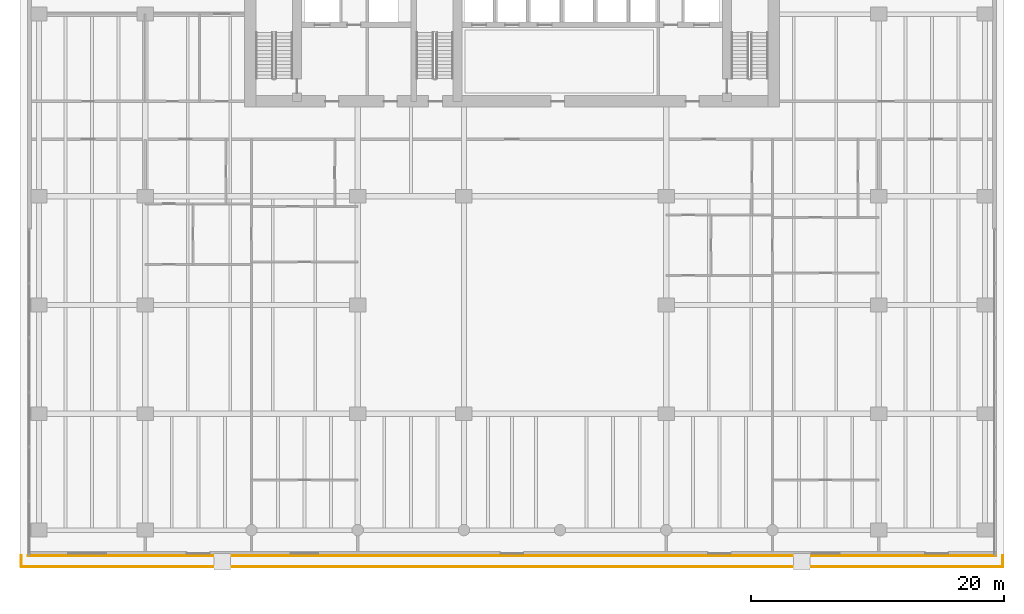
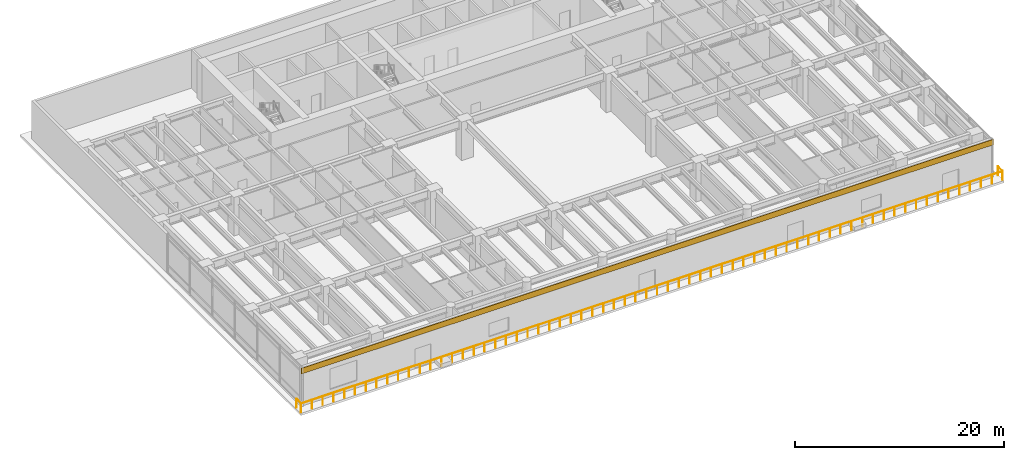
# One storey, part 15 of 17: 1 covering, 1 railing.
"""IFC4 building model written with IfcOpenShell, lengths in metres."""

from ifc_helpers import new_model, si_unit, direction, frame, origin, origin_2d, place, context, subcontext, project, spatial, rectangle, circle, extrude, material, layer, layer_set, type_object, element, save


model = new_model("IFC4")

# Units and contexts
model_context = context("Model", 3, precision=1e-05, world=origin(), true_north=direction((0.0, 1.0)))
body_context = subcontext(model_context, "Body", "Model", "MODEL_VIEW")
ifc_project = project(units=[si_unit("LENGTHUNIT", "METRE"), si_unit("AREAUNIT", "SQUARE_METRE"), si_unit("VOLUMEUNIT", "CUBIC_METRE"), si_unit("PLANEANGLEUNIT", "RADIAN"), si_unit("MASSUNIT", "GRAM", prefix="KILO")], contexts=[model_context])

# Site, building, storey
site_placement = place(None, origin())
site = spatial("IfcSite", under=ifc_project, at=site_placement, CompositionType="ELEMENT")
building_placement = place(site_placement, origin())
building = spatial("IfcBuilding", under=site, at=building_placement, Name="Caelmar Bay Residences", CompositionType="ELEMENT")
storey_placement = place(building_placement, frame((0.0, 0.0, 10.199951171875)))
storey = spatial("IfcBuildingStorey", under=building, at=storey_placement, Name="L02", CompositionType="ELEMENT", Elevation=10.199951171875)

# Covering
ifc_material_1 = material(Name="Honed Florida oolitic limestone rainscreen 60 mm", Category="masonry")
ifc_layer = layer(ifc_material_1, 0.06005859375)
ifc_layer_set = layer_set([ifc_layer], Name="Honed Florida oolitic limestone rainscreen 60 mm")
covering_type = type_object("IfcCoveringType", Name="COV-CLAD-60", PredefinedType="CLADDING", material=ifc_layer_set)
covering_placement = place(storey_placement, frame((38.89990234375, 0.969970703125, 3.8251953125), z_axis=(0.0, 0.0, 1.0), x_axis=(1.0, 0.0, 0.0)))
element("IfcCovering", 1, at=covering_placement, inside=storey, type_object=covering_type, Name="L02 Oolitic Limestone Spandrel Cladding", PredefinedType="CLADDING", context=body_context, shape_type="SweptSolid", body=[
    extrude(rectangle(XDim=76.60009765625, YDim=0.06005859375, at=origin_2d()), origin(), (0.0, 0.0, 1.0), 0.64990234375),
])

# Railing
ifc_material_2 = material(Name="Anodised bronze handrail with laminated hurricane glass infill", Category="glass")
railing_type = type_object("IfcRailingType", Name="RL-BAL-1100", PredefinedType="BALUSTRADE", material=ifc_material_2)
railing_placement = place(storey_placement, frame((0.10009765625, 1.0, 0.0)))
element("IfcRailing", 2, at=railing_placement, inside=storey, type_object=railing_type, Name="L02 Planted Terrace Perimeter Balustrade", PredefinedType="BALUSTRADE", context=body_context, shape_type="SweptSolid", body=[
    extrude(circle(Radius=0.02392578125, at=origin_2d()), frame((0.0, 0.0, 1.076171875), z_axis=(0.0, -1.0, 0.0), x_axis=(1.0, 0.0, 0.0)), (0.0, 0.0, 1.0), 0.89990234375),
    extrude(circle(Radius=0.02392578125, at=origin_2d()), frame((0.0, -0.89990234375, 1.076171875), z_axis=(1.0, 0.0, 0.0), x_axis=(0.0, 1.0, 0.0)), (0.0, 0.0, 1.0), 77.599853515625),
    extrude(circle(Radius=0.02392578125, at=origin_2d()), frame((77.599853515625, -0.89990234375, 1.076171875), z_axis=(0.0, 1.0, 0.0), x_axis=(-1.0, 0.0, 0.0)), (0.0, 0.0, 1.0), 0.89990234375),
    extrude(circle(Radius=0.02099609375, at=origin_2d()), origin(), (0.0, 0.0, 1.0), 1.052001953125),
    extrude(circle(Radius=0.02099609375, at=origin_2d()), frame((0.0, -0.89990234375, 0.0)), (0.0, 0.0, 1.0), 1.052001953125),
    extrude(circle(Radius=0.02099609375, at=origin_2d()), frame((1.19384765625, -0.89990234375, 0.0)), (0.0, 0.0, 1.0), 1.052001953125),
    extrude(circle(Radius=0.02099609375, at=origin_2d()), frame((2.3876953125, -0.89990234375, 0.0)), (0.0, 0.0, 1.0), 1.052001953125),
    extrude(circle(Radius=0.02099609375, at=origin_2d()), frame((3.58154296875, -0.89990234375, 0.0)), (0.0, 0.0, 1.0), 1.052001953125),
    extrude(circle(Radius=0.02099609375, at=origin_2d()), frame((4.775390625, -0.89990234375, 0.0)), (0.0, 0.0, 1.0), 1.052001953125),
    extrude(circle(Radius=0.02099609375, at=origin_2d()), frame((5.96923828125, -0.89990234375, 0.0)), (0.0, 0.0, 1.0), 1.052001953125),
    extrude(circle(Radius=0.02099609375, at=origin_2d()), frame((7.1630859375, -0.89990234375, 0.0)), (0.0, 0.0, 1.0), 1.052001953125),
    extrude(circle(Radius=0.02099609375, at=origin_2d()), frame((8.35693359375, -0.89990234375, 0.0)), (0.0, 0.0, 1.0), 1.052001953125),
    extrude(circle(Radius=0.02099609375, at=origin_2d()), frame((9.55078125, -0.89990234375, 0.0)), (0.0, 0.0, 1.0), 1.052001953125),
    extrude(circle(Radius=0.02099609375, at=origin_2d()), frame((10.74462890625, -0.89990234375, 0.0)), (0.0, 0.0, 1.0), 1.052001953125),
    extrude(circle(Radius=0.02099609375, at=origin_2d()), frame((11.9384765625, -0.89990234375, 0.0)), (0.0, 0.0, 1.0), 1.052001953125),
    extrude(circle(Radius=0.02099609375, at=origin_2d()), frame((13.13232421875, -0.89990234375, 0.0)), (0.0, 0.0, 1.0), 1.052001953125),
    extrude(circle(Radius=0.02099609375, at=origin_2d()), frame((14.326171875, -0.89990234375, 0.0)), (0.0, 0.0, 1.0), 1.052001953125),
    extrude(circle(Radius=0.02099609375, at=origin_2d()), frame((15.52001953125, -0.89990234375, 0.0)), (0.0, 0.0, 1.0), 1.052001953125),
    extrude(circle(Radius=0.02099609375, at=origin_2d()), frame((16.7138671875, -0.89990234375, 0.0)), (0.0, 0.0, 1.0), 1.052001953125),
    extrude(circle(Radius=0.02099609375, at=origin_2d()), frame((17.90771484375, -0.89990234375, 0.0)), (0.0, 0.0, 1.0), 1.052001953125),
    extrude(circle(Radius=0.02099609375, at=origin_2d()), frame((19.1015625, -0.89990234375, 0.0)), (0.0, 0.0, 1.0), 1.052001953125),
    extrude(circle(Radius=0.02099609375, at=origin_2d()), frame((20.29541015625, -0.89990234375, 0.0)), (0.0, 0.0, 1.0), 1.052001953125),
    extrude(circle(Radius=0.02099609375, at=origin_2d()), frame((21.4892578125, -0.89990234375, 0.0)), (0.0, 0.0, 1.0), 1.052001953125),
    extrude(circle(Radius=0.02099609375, at=origin_2d()), frame((22.68310546875, -0.89990234375, 0.0)), (0.0, 0.0, 1.0), 1.052001953125),
    extrude(circle(Radius=0.02099609375, at=origin_2d()), frame((23.876953125, -0.89990234375, 0.0)), (0.0, 0.0, 1.0), 1.052001953125),
    extrude(circle(Radius=0.02099609375, at=origin_2d()), frame((25.07080078125, -0.89990234375, 0.0)), (0.0, 0.0, 1.0), 1.052001953125),
    extrude(circle(Radius=0.02099609375, at=origin_2d()), frame((26.2646484375, -0.89990234375, 0.0)), (0.0, 0.0, 1.0), 1.052001953125),
    extrude(circle(Radius=0.02099609375, at=origin_2d()), frame((27.45849609375, -0.89990234375, 0.0)), (0.0, 0.0, 1.0), 1.052001953125),
    extrude(circle(Radius=0.02099609375, at=origin_2d()), frame((28.65234375, -0.89990234375, 0.0)), (0.0, 0.0, 1.0), 1.052001953125),
    extrude(circle(Radius=0.02099609375, at=origin_2d()), frame((29.84619140625, -0.89990234375, 0.0)), (0.0, 0.0, 1.0), 1.052001953125),
    extrude(circle(Radius=0.02099609375, at=origin_2d()), frame((31.0400390625, -0.89990234375, 0.0)), (0.0, 0.0, 1.0), 1.052001953125),
    extrude(circle(Radius=0.02099609375, at=origin_2d()), frame((32.23388671875, -0.89990234375, 0.0)), (0.0, 0.0, 1.0), 1.052001953125),
    extrude(circle(Radius=0.02099609375, at=origin_2d()), frame((33.427734375, -0.89990234375, 0.0)), (0.0, 0.0, 1.0), 1.052001953125),
    extrude(circle(Radius=0.02099609375, at=origin_2d()), frame((34.62158203125, -0.89990234375, 0.0)), (0.0, 0.0, 1.0), 1.052001953125),
    extrude(circle(Radius=0.02099609375, at=origin_2d()), frame((35.8154296875, -0.89990234375, 0.0)), (0.0, 0.0, 1.0), 1.052001953125),
    extrude(circle(Radius=0.02099609375, at=origin_2d()), frame((37.00927734375, -0.89990234375, 0.0)), (0.0, 0.0, 1.0), 1.052001953125),
    extrude(circle(Radius=0.02099609375, at=origin_2d()), frame((38.203125, -0.89990234375, 0.0)), (0.0, 0.0, 1.0), 1.052001953125),
    extrude(circle(Radius=0.02099609375, at=origin_2d()), frame((39.396728515625, -0.89990234375, 0.0)), (0.0, 0.0, 1.0), 1.052001953125),
    extrude(circle(Radius=0.02099609375, at=origin_2d()), frame((40.590576171875, -0.89990234375, 0.0)), (0.0, 0.0, 1.0), 1.052001953125),
    extrude(circle(Radius=0.02099609375, at=origin_2d()), frame((41.784423828125, -0.89990234375, 0.0)), (0.0, 0.0, 1.0), 1.052001953125),
    extrude(circle(Radius=0.02099609375, at=origin_2d()), frame((42.978271484375, -0.89990234375, 0.0)), (0.0, 0.0, 1.0), 1.052001953125),
    extrude(circle(Radius=0.02099609375, at=origin_2d()), frame((44.172119140625, -0.89990234375, 0.0)), (0.0, 0.0, 1.0), 1.052001953125),
    extrude(circle(Radius=0.02099609375, at=origin_2d()), frame((45.365966796875, -0.89990234375, 0.0)), (0.0, 0.0, 1.0), 1.052001953125),
    extrude(circle(Radius=0.02099609375, at=origin_2d()), frame((46.559814453125, -0.89990234375, 0.0)), (0.0, 0.0, 1.0), 1.052001953125),
    extrude(circle(Radius=0.02099609375, at=origin_2d()), frame((47.753662109375, -0.89990234375, 0.0)), (0.0, 0.0, 1.0), 1.052001953125),
    extrude(circle(Radius=0.02099609375, at=origin_2d()), frame((48.947509765625, -0.89990234375, 0.0)), (0.0, 0.0, 1.0), 1.052001953125),
    extrude(circle(Radius=0.02099609375, at=origin_2d()), frame((50.141357421875, -0.89990234375, 0.0)), (0.0, 0.0, 1.0), 1.052001953125),
    extrude(circle(Radius=0.02099609375, at=origin_2d()), frame((51.335205078125, -0.89990234375, 0.0)), (0.0, 0.0, 1.0), 1.052001953125),
    extrude(circle(Radius=0.02099609375, at=origin_2d()), frame((52.529052734375, -0.89990234375, 0.0)), (0.0, 0.0, 1.0), 1.052001953125),
    extrude(circle(Radius=0.02099609375, at=origin_2d()), frame((53.722900390625, -0.89990234375, 0.0)), (0.0, 0.0, 1.0), 1.052001953125),
    extrude(circle(Radius=0.02099609375, at=origin_2d()), frame((54.916748046875, -0.89990234375, 0.0)), (0.0, 0.0, 1.0), 1.052001953125),
    extrude(circle(Radius=0.02099609375, at=origin_2d()), frame((56.110595703125, -0.89990234375, 0.0)), (0.0, 0.0, 1.0), 1.052001953125),
    extrude(circle(Radius=0.02099609375, at=origin_2d()), frame((57.304443359375, -0.89990234375, 0.0)), (0.0, 0.0, 1.0), 1.052001953125),
    extrude(circle(Radius=0.02099609375, at=origin_2d()), frame((58.498291015625, -0.89990234375, 0.0)), (0.0, 0.0, 1.0), 1.052001953125),
    extrude(circle(Radius=0.02099609375, at=origin_2d()), frame((59.692138671875, -0.89990234375, 0.0)), (0.0, 0.0, 1.0), 1.052001953125),
    extrude(circle(Radius=0.02099609375, at=origin_2d()), frame((60.885986328125, -0.89990234375, 0.0)), (0.0, 0.0, 1.0), 1.052001953125),
    extrude(circle(Radius=0.02099609375, at=origin_2d()), frame((62.079833984375, -0.89990234375, 0.0)), (0.0, 0.0, 1.0), 1.052001953125),
    extrude(circle(Radius=0.02099609375, at=origin_2d()), frame((63.273681640625, -0.89990234375, 0.0)), (0.0, 0.0, 1.0), 1.052001953125),
    extrude(circle(Radius=0.02099609375, at=origin_2d()), frame((64.467529296875, -0.89990234375, 0.0)), (0.0, 0.0, 1.0), 1.052001953125),
    extrude(circle(Radius=0.02099609375, at=origin_2d()), frame((65.661376953125, -0.89990234375, 0.0)), (0.0, 0.0, 1.0), 1.052001953125),
    extrude(circle(Radius=0.02099609375, at=origin_2d()), frame((66.855224609375, -0.89990234375, 0.0)), (0.0, 0.0, 1.0), 1.052001953125),
    extrude(circle(Radius=0.02099609375, at=origin_2d()), frame((68.049072265625, -0.89990234375, 0.0)), (0.0, 0.0, 1.0), 1.052001953125),
    extrude(circle(Radius=0.02099609375, at=origin_2d()), frame((69.242919921875, -0.89990234375, 0.0)), (0.0, 0.0, 1.0), 1.052001953125),
    extrude(circle(Radius=0.02099609375, at=origin_2d()), frame((70.436767578125, -0.89990234375, 0.0)), (0.0, 0.0, 1.0), 1.052001953125),
    extrude(circle(Radius=0.02099609375, at=origin_2d()), frame((71.630615234375, -0.89990234375, 0.0)), (0.0, 0.0, 1.0), 1.052001953125),
    extrude(circle(Radius=0.02099609375, at=origin_2d()), frame((72.824462890625, -0.89990234375, 0.0)), (0.0, 0.0, 1.0), 1.052001953125),
    extrude(circle(Radius=0.02099609375, at=origin_2d()), frame((74.018310546875, -0.89990234375, 0.0)), (0.0, 0.0, 1.0), 1.052001953125),
    extrude(circle(Radius=0.02099609375, at=origin_2d()), frame((75.212158203125, -0.89990234375, 0.0)), (0.0, 0.0, 1.0), 1.052001953125),
    extrude(circle(Radius=0.02099609375, at=origin_2d()), frame((76.406005859375, -0.89990234375, 0.0)), (0.0, 0.0, 1.0), 1.052001953125),
    extrude(circle(Radius=0.02099609375, at=origin_2d()), frame((77.599853515625, -0.89990234375, 0.0)), (0.0, 0.0, 1.0), 1.052001953125),
    extrude(circle(Radius=0.02099609375, at=origin_2d()), frame((77.599853515625, 0.0, 0.0)), (0.0, 0.0, 1.0), 1.052001953125),
])

save(model, "model.ifc")
